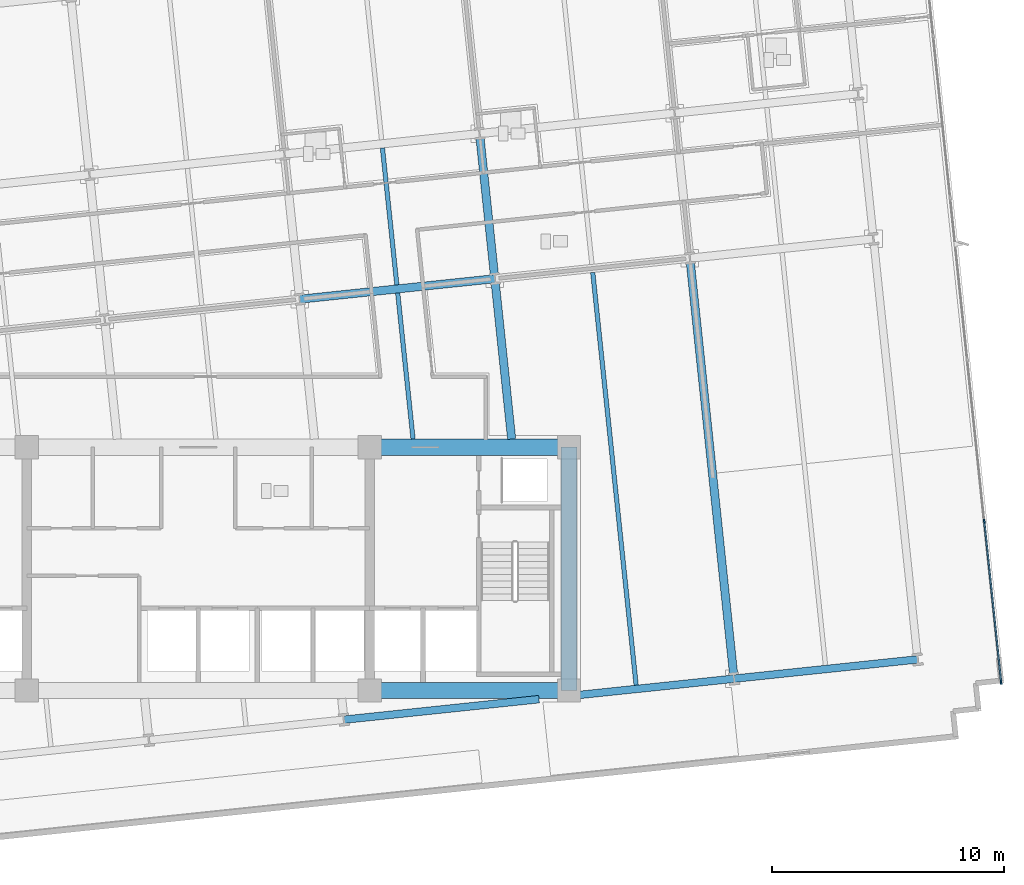
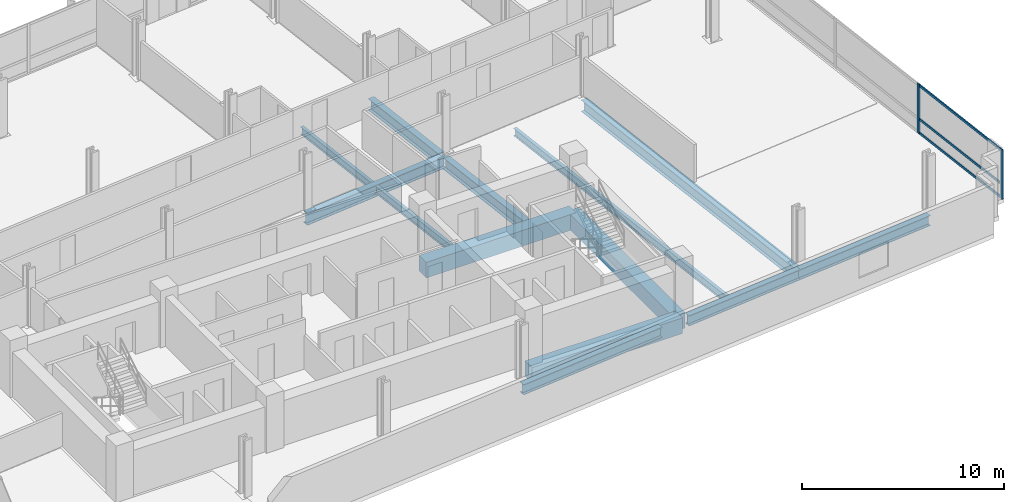
# One storey, part 4 of 18: 13 beams, 5 members, 1 element without a shape of its own.
"""IFC4 building model written with IfcOpenShell, lengths in metres."""

from ifc_helpers import new_model, si_unit, direction, frame, origin, origin_2d, place, context, subcontext, project, spatial, rectangle, i_section, extrude, material, material_profile, profile_set, type_object, element, aggregate, save


model = new_model("IFC4")

# Units and contexts
model_context = context("Model", 3, precision=1e-05, world=origin(), true_north=direction((0.0, 1.0)))
body_context = subcontext(model_context, "Body", "Model", "MODEL_VIEW")
ifc_project = project(units=[si_unit("LENGTHUNIT", "METRE"), si_unit("AREAUNIT", "SQUARE_METRE"), si_unit("VOLUMEUNIT", "CUBIC_METRE"), si_unit("PLANEANGLEUNIT", "RADIAN"), si_unit("MASSUNIT", "GRAM", prefix="KILO")], contexts=[model_context])

# Site, building, storey
site_placement = place(None, origin())
site = spatial("IfcSite", under=ifc_project, at=site_placement, CompositionType="ELEMENT")
building_placement = place(site_placement, origin())
building = spatial("IfcBuilding", under=site, at=building_placement, Name="Solmavex Isthmus Hotel", CompositionType="ELEMENT")
storey_placement = place(building_placement, frame((0.0, 0.0, 127.050048828125)))
storey = spatial("IfcBuildingStorey", under=building, at=storey_placement, Name="L34", CompositionType="ELEMENT", Elevation=127.050048828125)

# Beams
ifc_material_1 = material(Name="Steel ASTM A992 Grade 50", Category="steel")
ifc_material_profile_1 = material_profile(ifc_material_1, i_section(OverallWidth=0.354736328125, OverallDepth=0.695556640625, WebThickness=0.015380859375, FlangeThickness=0.02490234375, FilletRadius=0.017822265625, at=origin_2d()), Name="W27X146")
ifc_profile_set_1 = profile_set([ifc_material_profile_1], Name="Steel ASTM A992 Grade 50")
beam_type_1 = type_object("IfcBeamType", Name="BM-BG-W27X146", PredefinedType="BEAM", material=ifc_profile_set_1)
beam_1_placement = place(storey_placement, frame((4.38037109375, 3.888427734375, -0.60791015625), z_axis=(0.994521085209, 0.104536171134, 0.0), x_axis=(-0.104536171134, 0.994521085209, 0.0)))
element("IfcBeam", 1, at=beam_1_placement, inside=storey, type_object=beam_type_1, Name="Floor Girder L34-UG10", PredefinedType="BEAM", context=body_context, shape_type="SweptSolid", body=[
    extrude(i_section(OverallWidth=0.354736328125, OverallDepth=0.695556640625, WebThickness=0.015380859375, FlangeThickness=0.02490234375, FilletRadius=0.017822265625, at=origin_2d()), origin(), (0.0, 0.0, 1.0), 8.466064453125),
])
beam_2_placement = place(storey_placement, frame((13.52783203125, -2.14990234375, -0.60791015625), z_axis=(-0.104544283528, 0.994520232465, 0.0), x_axis=(-0.994520232465, -0.104544283528, 0.0)))
element("IfcBeam", 2, at=beam_2_placement, inside=storey, type_object=beam_type_1, Name="Floor Beam L34-VG40", PredefinedType="BEAM", context=body_context, shape_type="SweptSolid", body=[
    extrude(i_section(OverallWidth=0.354736328125, OverallDepth=0.695556640625, WebThickness=0.015380859375, FlangeThickness=0.02490234375, FilletRadius=0.017822265625, at=origin_2d()), origin(), (0.0, 0.0, 1.0), 6.783935546875),
])
beam_3_placement = place(storey_placement, frame((12.781494140625, 4.949951171875, -0.60791015625), z_axis=(-0.104505160346, 0.994524344328, 0.0), x_axis=(-0.994524344328, -0.104505160346, 0.0)))
element("IfcBeam", 3, at=beam_3_placement, inside=storey, type_object=beam_type_1, Name="Floor Beam L34-VG41", PredefinedType="BEAM", context=body_context, shape_type="SweptSolid", body=[
    extrude(i_section(OverallWidth=0.354736328125, OverallDepth=0.695556640625, WebThickness=0.015380859375, FlangeThickness=0.02490234375, FilletRadius=0.017822265625, at=origin_2d()), origin(), (0.0, 0.0, 1.0), 5.943115234375),
])
beam_4_placement = place(storey_placement, frame((23.1103515625, -12.329345703125, -0.60791015625), z_axis=(-0.104530088192, 0.99452172458, 0.0), x_axis=(-0.99452172458, -0.104530088192, 0.0)))
element("IfcBeam", 4, at=beam_4_placement, inside=storey, type_object=beam_type_1, Name="Floor Beam L34-VG43", PredefinedType="BEAM", context=body_context, shape_type="SweptSolid", body=[
    extrude(i_section(OverallWidth=0.354736328125, OverallDepth=0.695556640625, WebThickness=0.015380859375, FlangeThickness=0.02490234375, FilletRadius=0.017822265625, at=origin_2d()), origin(), (0.0, 0.0, 1.0), 17.909423828125),
])
ifc_material_profile_2 = material_profile(ifc_material_1, i_section(OverallWidth=0.1904296875, OverallDepth=0.456787109375, WebThickness=0.009033203125, FlangeThickness=0.014404296875, FilletRadius=0.0126953125, at=origin_2d()), Name="W18X50")
ifc_profile_set_2 = profile_set([ifc_material_profile_2], Name="Steel ASTM A992 Grade 50")
beam_type_2 = type_object("IfcBeamType", Name="BM-BJ-W18X50", PredefinedType="JOIST", material=ifc_profile_set_2)
beam_5_placement = place(storey_placement, frame((9.271484375, -2.14990234375, -0.488525390625), z_axis=(-0.104524400071, 0.994522322419, 0.0), x_axis=(-0.994522322419, -0.104524400071, 0.0)))
element("IfcBeam", 5, at=beam_5_placement, inside=storey, type_object=beam_type_2, Name="Secondary Floor Joist L34-J13", PredefinedType="JOIST", context=body_context, shape_type="SweptSolid", body=[
    extrude(i_section(OverallWidth=0.1904296875, OverallDepth=0.456787109375, WebThickness=0.009033203125, FlangeThickness=0.014404296875, FilletRadius=0.0126953125, at=origin_2d()), origin(), (0.0, 0.0, 1.0), 6.339111328125),
])
beam_6_placement = place(storey_placement, frame((8.57177734375, 4.50732421875, -0.488525390625), z_axis=(-0.104545790518, 0.994520074048, 0.0), x_axis=(-0.994520074048, -0.104545790518, 0.0)))
element("IfcBeam", 6, at=beam_6_placement, inside=storey, type_object=beam_type_2, Name="Secondary Floor Joist L34-J14", PredefinedType="JOIST", context=body_context, shape_type="SweptSolid", body=[
    extrude(i_section(OverallWidth=0.1904296875, OverallDepth=0.456787109375, WebThickness=0.009033203125, FlangeThickness=0.014404296875, FilletRadius=0.0126953125, at=origin_2d()), origin(), (0.0, 0.0, 1.0), 5.943115234375),
])
beam_7_placement = place(storey_placement, frame((18.900390625, -12.771728515625, -0.488525390625), z_axis=(-0.104516605126, 0.994523141638, 0.0), x_axis=(-0.994523141638, -0.104516605126, 0.0)))
element("IfcBeam", 7, at=beam_7_placement, inside=storey, type_object=beam_type_2, Name="Secondary Floor Joist L34-J16", PredefinedType="JOIST", context=body_context, shape_type="SweptSolid", body=[
    extrude(i_section(OverallWidth=0.1904296875, OverallDepth=0.456787109375, WebThickness=0.009033203125, FlangeThickness=0.014404296875, FilletRadius=0.0126953125, at=origin_2d()), origin(), (0.0, 0.0, 1.0), 17.909423828125),
])
ifc_material_2 = material(Name="Concrete C60/75", Category="concrete")
ifc_material_profile_3 = material_profile(ifc_material_2, rectangle(XDim=0.699951171875, YDim=0.949951171875, at=origin_2d()), Name="RC700X950")
ifc_profile_set_3 = profile_set([ifc_material_profile_3], Name="Concrete C60/75")
beam_type_3 = type_object("IfcBeamType", Name="BM-CB-700X950", PredefinedType="BEAM", material=ifc_profile_set_3)
for number, where, z_axis, x_axis, name in (
    (8, (7.39990234375, -13.0, -0.735107421875), (1.0, 0.0, 0.0), (0.0, 1.0, 0.0), "Core Coupling Beam L34-CB3"),
    (9, (7.39990234375, -2.5, -0.735107421875), (1.0, 0.0, 0.0), (0.0, 1.0, 0.0), "Core Coupling Beam L34-CB6"),
):
    element("IfcBeam", number, at=place(storey_placement, frame(where, z_axis=z_axis, x_axis=x_axis)), inside=storey, type_object=beam_type_3, Name=name, PredefinedType="BEAM", context=body_context, shape_type="SweptSolid", body=[
        extrude(rectangle(XDim=0.699951171875, YDim=0.949951171875, at=origin_2d()), origin(), (0.0, 0.0, 1.0), 8.60009765625),
    ])
beam_8_placement = place(storey_placement, frame((16.0, -13.0, -0.735107421875), z_axis=(0.0, 1.0, 0.0), x_axis=(-1.0, 0.0, 0.0)))
element("IfcBeam", 10, at=beam_8_placement, inside=storey, type_object=beam_type_3, Name="Core Coupling Beam L34-CB8", PredefinedType="BEAM", context=body_context, shape_type="SweptSolid", body=[
    extrude(rectangle(XDim=0.699951171875, YDim=0.949951171875, at=origin_2d()), origin(), (0.0, 0.0, 1.0), 10.5),
])
ifc_material_profile_4 = material_profile(ifc_material_1, i_section(OverallWidth=0.326416015625, OverallDepth=0.621826171875, WebThickness=0.015380859375, FlangeThickness=0.0244140625, FilletRadius=0.01513671875, at=origin_2d()), Name="W24X131")
ifc_profile_set_4 = profile_set([ifc_material_profile_4], Name="Steel ASTM A992 Grade 50")
beam_type_4 = type_object("IfcBeamType", Name="BM-SP-W24X131", PredefinedType="SPANDREL", material=ifc_profile_set_4)
beam_9_placement = place(storey_placement, frame((6.2880859375, -14.261474609375, -0.571044921875), z_axis=(0.994524082861, 0.104507648572, 0.0), x_axis=(-0.104507648572, 0.994524082861, 0.0)))
element("IfcBeam", 11, at=beam_9_placement, inside=storey, type_object=beam_type_4, Name="Floor Girder L34-UG04", PredefinedType="SPANDREL", context=body_context, shape_type="SweptSolid", body=[
    extrude(i_section(OverallWidth=0.326416015625, OverallDepth=0.621826171875, WebThickness=0.015380859375, FlangeThickness=0.0244140625, FilletRadius=0.01513671875, at=origin_2d()), origin(), (0.0, 0.0, 1.0), 8.466064453125),
])
beam_10_placement = place(storey_placement, frame((16.35009765625, -13.2041015625, -0.571044921875), z_axis=(0.994520754079, 0.10453932134, 0.0), x_axis=(-0.10453932134, 0.994520754079, 0.0)))
element("IfcBeam", 12, at=beam_10_placement, inside=storey, type_object=beam_type_4, Name="Floor Girder L34-UG05", PredefinedType="SPANDREL", context=body_context, shape_type="SweptSolid", body=[
    extrude(i_section(OverallWidth=0.326416015625, OverallDepth=0.621826171875, WebThickness=0.015380859375, FlangeThickness=0.0244140625, FilletRadius=0.01513671875, at=origin_2d()), origin(), (0.0, 0.0, 1.0), 6.814697265625),
])
beam_11_placement = place(storey_placement, frame((23.12744140625, -12.49169921875, -0.571044921875), z_axis=(0.994520217478, 0.10454442609, 0.0), x_axis=(-0.10454442609, 0.994520217478, 0.0)))
element("IfcBeam", 13, at=beam_11_placement, inside=storey, type_object=beam_type_4, Name="Floor Girder L34-UG06", PredefinedType="SPANDREL", context=body_context, shape_type="SweptSolid", body=[
    extrude(i_section(OverallWidth=0.326416015625, OverallDepth=0.621826171875, WebThickness=0.015380859375, FlangeThickness=0.0244140625, FilletRadius=0.01513671875, at=origin_2d()), origin(), (0.0, 0.0, 1.0), 7.968017578125),
])

# Curtain wall, members
ifc_material_3 = material(Name="Aluminium alloy 6063-T6", Category="aluminium")
curtain_wall_type = type_object("IfcCurtainWallType", Name="CW-SYS-03", PredefinedType="NOTDEFINED", material=ifc_material_3)
curtain_wall_placement = place(storey_placement, origin())
curtain_wall = element("IfcCurtainWall", 14, at=curtain_wall_placement, inside=storey, type_object=curtain_wall_type, Name="Stick Curtain Wall CWL-L34-E1", PredefinedType="NOTDEFINED")
ifc_material_profile_5 = material_profile(ifc_material_3, rectangle(XDim=0.070068359375, YDim=0.179931640625, at=origin_2d()), Name="CWM-70X180")
ifc_profile_set_5 = profile_set([ifc_material_profile_5], Name="Aluminium alloy 6063-T6")
member_type_1 = type_object("IfcMemberType", Name="CW-SYS-03-MUL", PredefinedType="MULLION", material=ifc_profile_set_5)
member_1_placement = place(storey_placement, frame((34.6552734375, -12.652587890625, 0.0), z_axis=(0.0, 0.0, 1.0), x_axis=(-0.994521893044, -0.104528485381, 0.0)))
member_1 = element("IfcMember", 15, at=member_1_placement, type_object=member_type_1, Name="CW-03 mullion 1", PredefinedType="MULLION", context=body_context, shape_type="SweptSolid", body=[
    extrude(rectangle(XDim=0.070068359375, YDim=0.179931640625, at=origin_2d()), origin(), (0.0, 0.0, 1.0), 3.0),
])
member_2_placement = place(storey_placement, frame((33.92529296875, -5.705810546875, 0.0), z_axis=(0.0, 0.0, 1.0), x_axis=(-0.994521893044, -0.104528485381, 0.0)))
member_2 = element("IfcMember", 16, at=member_2_placement, type_object=member_type_1, Name="CW-03 mullion 2", PredefinedType="MULLION", context=body_context, shape_type="SweptSolid", body=[
    extrude(rectangle(XDim=0.070068359375, YDim=0.179931640625, at=origin_2d()), origin(), (0.0, 0.0, 1.0), 3.0),
])
ifc_material_profile_6 = material_profile(ifc_material_3, rectangle(XDim=0.070068359375, YDim=0.139892578125, at=origin_2d()), Name="CWT-70X140")
ifc_profile_set_6 = profile_set([ifc_material_profile_6], Name="Aluminium alloy 6063-T6")
member_type_2 = type_object("IfcMemberType", Name="CW-SYS-03-TRN", PredefinedType="USERDEFINED", material=ifc_profile_set_6)
member_3_placement = place(storey_placement, frame((34.651611328125, -12.61767578125, 0.070068359375), z_axis=(-0.104508345235, 0.994524009653, 0.0), x_axis=(-0.994524009653, -0.104508345235, 0.0)))
member_3 = element("IfcMember", 17, at=member_3_placement, type_object=member_type_2, Name="CW-03 transom 1.1", ObjectType="TRANSOM", PredefinedType="USERDEFINED", context=body_context, shape_type="SweptSolid", body=[
    extrude(rectangle(XDim=0.070068359375, YDim=0.139892578125, at=origin_2d()), origin(), (0.0, 0.0, 1.0), 6.914794921875),
])
member_4_placement = place(storey_placement, frame((34.651611328125, -12.61767578125, 0.89990234375), z_axis=(-0.104508345235, 0.994524009653, 0.0), x_axis=(-0.994524009653, -0.104508345235, 0.0)))
member_4 = element("IfcMember", 18, at=member_4_placement, type_object=member_type_2, Name="CW-03 transom 1.2", ObjectType="TRANSOM", PredefinedType="USERDEFINED", context=body_context, shape_type="SweptSolid", body=[
    extrude(rectangle(XDim=0.070068359375, YDim=0.139892578125, at=origin_2d()), origin(), (0.0, 0.0, 1.0), 6.914794921875),
])
member_5_placement = place(storey_placement, frame((34.651611328125, -12.61767578125, 2.929931640625), z_axis=(-0.104508345235, 0.994524009653, 0.0), x_axis=(-0.994524009653, -0.104508345235, 0.0)))
member_5 = element("IfcMember", 19, at=member_5_placement, type_object=member_type_2, Name="CW-03 transom 1.3", ObjectType="TRANSOM", PredefinedType="USERDEFINED", context=body_context, shape_type="SweptSolid", body=[
    extrude(rectangle(XDim=0.070068359375, YDim=0.139892578125, at=origin_2d()), origin(), (0.0, 0.0, 1.0), 6.914794921875),
])
aggregate(curtain_wall, [member_1, member_2, member_3, member_4, member_5])

save(model, "model.ifc")
